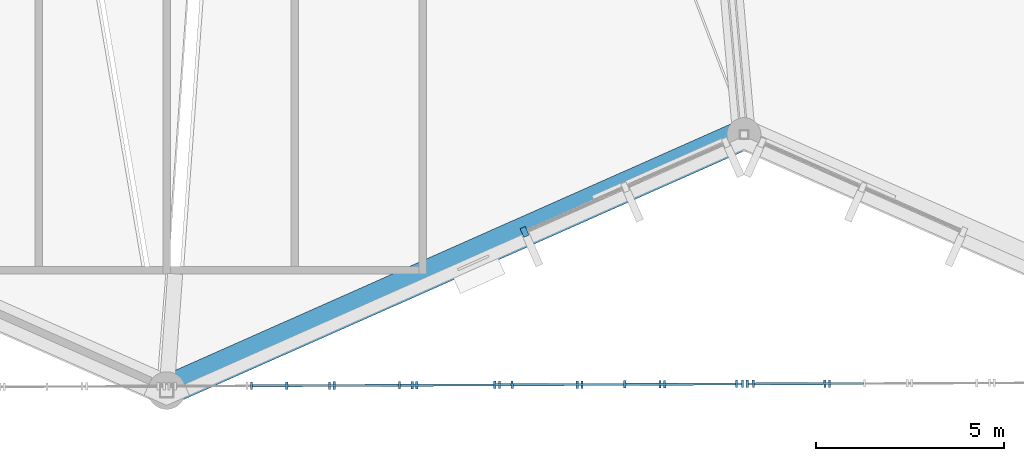
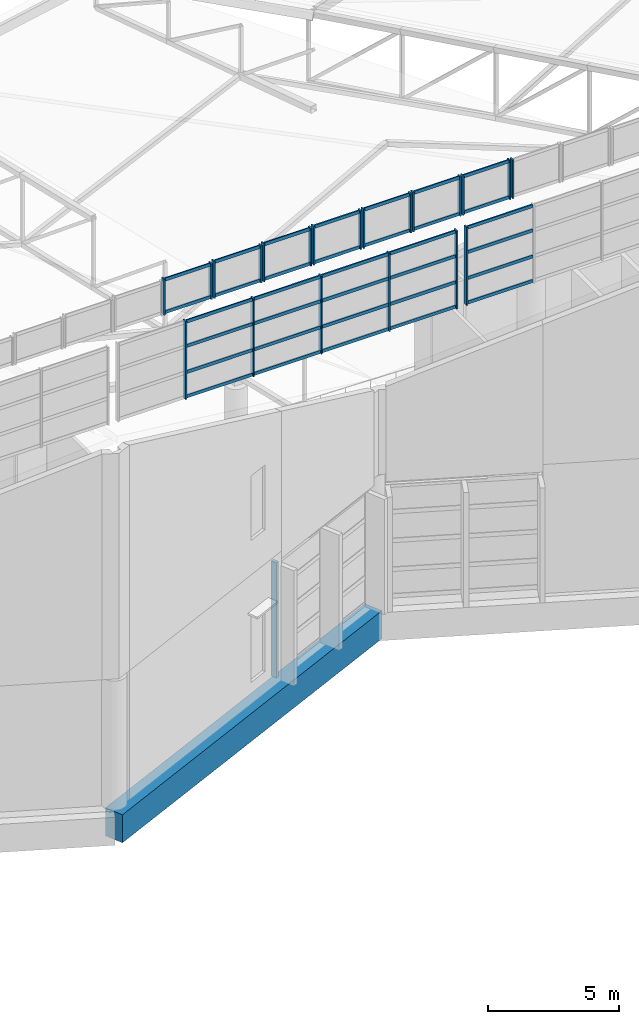
# One storey, part 33 of 344: 56 members, 1 beam, 11 elements without a shape of their own.
"""IFC4 building model written with IfcOpenShell, lengths in metres."""

from ifc_helpers import new_model, si_unit, direction, frame, origin, origin_2d, place, context, subcontext, project, spatial, rectangle, extrude, material, layer, layer_set, material_profile, profile_set, type_object, element, aggregate, save


model = new_model("IFC4")

# Units and contexts
model_context = context("Model", 3, precision=1e-05, world=origin(), true_north=direction((0.0, 1.0)))
body_context = subcontext(model_context, "Body", "Model", "MODEL_VIEW")
ifc_project = project(units=[si_unit("LENGTHUNIT", "METRE"), si_unit("AREAUNIT", "SQUARE_METRE"), si_unit("VOLUMEUNIT", "CUBIC_METRE"), si_unit("PLANEANGLEUNIT", "RADIAN"), si_unit("MASSUNIT", "GRAM", prefix="KILO")], contexts=[model_context])

# Site, building, storey
site_placement = place(None, origin())
site = spatial("IfcSite", under=ifc_project, at=site_placement, CompositionType="ELEMENT")
building_placement = place(site_placement, origin())
building = spatial("IfcBuilding", under=site, at=building_placement, Name="Meseta Stadium", CompositionType="ELEMENT")
storey_placement = place(building_placement, frame((0.0, 0.0, 24.0)))
storey = spatial("IfcBuildingStorey", under=building, at=storey_placement, Name="L04", CompositionType="ELEMENT", Elevation=24.0)

# Curtain wall, members
ifc_material_1 = material(Name="Aluminium", Category="aluminium")
ifc_layer_1 = layer(ifc_material_1, 0.199951171875)
ifc_layer_set_1 = layer_set([ifc_layer_1], Name="Gable glazing curtain wall")
curtain_wall_type_1 = type_object("IfcCurtainWallType", Name="Gable glazing curtain wall", PredefinedType="NOTDEFINED", material=ifc_layer_set_1)
curtain_wall_1_placement = place(storey_placement, origin())
curtain_wall_1 = element("IfcCurtainWall", 1, at=curtain_wall_1_placement, inside=storey, type_object=curtain_wall_type_1, Name="Gable glazing south bay 16", PredefinedType="NOTDEFINED")
ifc_material_2 = material(Name="Aluminium", Category="aluminium")
ifc_material_profile_1 = material_profile(ifc_material_2, rectangle(XDim=0.199951171875, YDim=0.06005859375, at=origin_2d()), Name="CW 200x60")
ifc_profile_set_1 = profile_set([ifc_material_profile_1], Name="Aluminium")
member_type_1 = type_object("IfcMemberType", Name="CW mullion 60x200", PredefinedType="MULLION", material=ifc_profile_set_1)
member_1_placement = place(storey_placement, frame((-5.410888671875, -105.2734375, 21.85498046875), z_axis=(0.0, 0.0, 1.0), x_axis=(-0.003847534181, 0.999992598213, 0.0)))
member_1 = element("IfcMember", 2, at=member_1_placement, type_object=member_type_1, Name="CWG mullion 1", PredefinedType="MULLION", context=body_context, shape_type="SweptSolid", body=[
    extrude(rectangle(XDim=0.199951171875, YDim=0.06005859375, at=origin_2d()), origin(), (0.0, 0.0, 1.0), 1.66015625),
])
member_2_placement = place(storey_placement, frame((-3.3408203125, -105.265380859375, 21.85498046875), z_axis=(0.0, 0.0, 1.0), x_axis=(-0.003847534181, 0.999992598213, 0.0)))
member_2 = element("IfcMember", 3, at=member_2_placement, type_object=member_type_1, Name="CWG mullion 2", PredefinedType="MULLION", context=body_context, shape_type="SweptSolid", body=[
    extrude(rectangle(XDim=0.199951171875, YDim=0.06005859375, at=origin_2d()), origin(), (0.0, 0.0, 1.0), 1.66015625),
])

curtain_wall_2_placement = place(storey_placement, origin())
curtain_wall_2 = element("IfcCurtainWall", 4, at=curtain_wall_2_placement, inside=storey, type_object=curtain_wall_type_1, Name="Gable glazing south bay 17", PredefinedType="NOTDEFINED")
member_3_placement = place(storey_placement, frame((-3.216796875, -105.264892578125, 21.85498046875), z_axis=(0.0, 0.0, 1.0), x_axis=(-0.003847534181, 0.999992598213, 0.0)))
member_3 = element("IfcMember", 5, at=member_3_placement, type_object=member_type_1, Name="CWG mullion 1", PredefinedType="MULLION", context=body_context, shape_type="SweptSolid", body=[
    extrude(rectangle(XDim=0.199951171875, YDim=0.06005859375, at=origin_2d()), origin(), (0.0, 0.0, 1.0), 1.716796875),
])
member_4_placement = place(storey_placement, frame((-1.146484375, -105.2568359375, 21.85498046875), z_axis=(0.0, 0.0, 1.0), x_axis=(-0.003847534181, 0.999992598213, 0.0)))
member_4 = element("IfcMember", 6, at=member_4_placement, type_object=member_type_1, Name="CWG mullion 2", PredefinedType="MULLION", context=body_context, shape_type="SweptSolid", body=[
    extrude(rectangle(XDim=0.199951171875, YDim=0.06005859375, at=origin_2d()), origin(), (0.0, 0.0, 1.0), 1.716796875),
])

curtain_wall_3_placement = place(storey_placement, origin())
curtain_wall_3 = element("IfcCurtainWall", 7, at=curtain_wall_3_placement, inside=storey, type_object=curtain_wall_type_1, Name="Gable glazing south bay 18", PredefinedType="NOTDEFINED")
member_5_placement = place(storey_placement, frame((-1.0224609375, -105.25634765625, 21.85498046875), z_axis=(0.0, 0.0, 1.0), x_axis=(-0.003847534181, 0.999992598213, 0.0)))
member_5 = element("IfcMember", 8, at=member_5_placement, type_object=member_type_1, Name="CWG mullion 1", PredefinedType="MULLION", context=body_context, shape_type="SweptSolid", body=[
    extrude(rectangle(XDim=0.199951171875, YDim=0.06005859375, at=origin_2d()), origin(), (0.0, 0.0, 1.0), 1.76220703125),
])
member_6_placement = place(storey_placement, frame((1.047607421875, -105.24853515625, 21.85498046875), z_axis=(0.0, 0.0, 1.0), x_axis=(-0.003847534181, 0.999992598213, 0.0)))
member_6 = element("IfcMember", 9, at=member_6_placement, type_object=member_type_1, Name="CWG mullion 2", PredefinedType="MULLION", context=body_context, shape_type="SweptSolid", body=[
    extrude(rectangle(XDim=0.199951171875, YDim=0.06005859375, at=origin_2d()), origin(), (0.0, 0.0, 1.0), 1.76220703125),
])

curtain_wall_4_placement = place(storey_placement, origin())
curtain_wall_4 = element("IfcCurtainWall", 10, at=curtain_wall_4_placement, inside=storey, type_object=curtain_wall_type_1, Name="Gable glazing south bay 19", PredefinedType="NOTDEFINED")
member_7_placement = place(storey_placement, frame((1.171630859375, -105.248046875, 21.85498046875), z_axis=(0.0, 0.0, 1.0), x_axis=(-0.003847534181, 0.999992598213, 0.0)))
member_7 = element("IfcMember", 11, at=member_7_placement, type_object=member_type_1, Name="CWG mullion 1", PredefinedType="MULLION", context=body_context, shape_type="SweptSolid", body=[
    extrude(rectangle(XDim=0.199951171875, YDim=0.06005859375, at=origin_2d()), origin(), (0.0, 0.0, 1.0), 1.796630859375),
])
member_8_placement = place(storey_placement, frame((3.24169921875, -105.239990234375, 21.85498046875), z_axis=(0.0, 0.0, 1.0), x_axis=(-0.003847534181, 0.999992598213, 0.0)))
member_8 = element("IfcMember", 12, at=member_8_placement, type_object=member_type_1, Name="CWG mullion 2", PredefinedType="MULLION", context=body_context, shape_type="SweptSolid", body=[
    extrude(rectangle(XDim=0.199951171875, YDim=0.06005859375, at=origin_2d()), origin(), (0.0, 0.0, 1.0), 1.796630859375),
])

curtain_wall_5_placement = place(storey_placement, origin())
curtain_wall_5 = element("IfcCurtainWall", 13, at=curtain_wall_5_placement, inside=storey, type_object=curtain_wall_type_1, Name="Gable glazing south bay 20", PredefinedType="NOTDEFINED")
member_9_placement = place(storey_placement, frame((3.36572265625, -105.239501953125, 21.85498046875), z_axis=(0.0, 0.0, 1.0), x_axis=(-0.003847534181, 0.999992598213, 0.0)))
member_9 = element("IfcMember", 14, at=member_9_placement, type_object=member_type_1, Name="CWG mullion 1", PredefinedType="MULLION", context=body_context, shape_type="SweptSolid", body=[
    extrude(rectangle(XDim=0.199951171875, YDim=0.06005859375, at=origin_2d()), origin(), (0.0, 0.0, 1.0), 1.820068359375),
])
member_10_placement = place(storey_placement, frame((5.43603515625, -105.231689453125, 21.85498046875), z_axis=(0.0, 0.0, 1.0), x_axis=(-0.003847534181, 0.999992598213, 0.0)))
member_10 = element("IfcMember", 15, at=member_10_placement, type_object=member_type_1, Name="CWG mullion 2", PredefinedType="MULLION", context=body_context, shape_type="SweptSolid", body=[
    extrude(rectangle(XDim=0.199951171875, YDim=0.06005859375, at=origin_2d()), origin(), (0.0, 0.0, 1.0), 1.820068359375),
])

curtain_wall_6_placement = place(storey_placement, origin())
curtain_wall_6 = element("IfcCurtainWall", 16, at=curtain_wall_6_placement, inside=storey, type_object=curtain_wall_type_1, Name="Gable glazing south bay 21", PredefinedType="NOTDEFINED")
member_11_placement = place(storey_placement, frame((5.56005859375, -105.231201171875, 21.85498046875), z_axis=(0.0, 0.0, 1.0), x_axis=(-0.003847534181, 0.999992598213, 0.0)))
member_11 = element("IfcMember", 17, at=member_11_placement, type_object=member_type_1, Name="CWG mullion 1", PredefinedType="MULLION", context=body_context, shape_type="SweptSolid", body=[
    extrude(rectangle(XDim=0.199951171875, YDim=0.06005859375, at=origin_2d()), origin(), (0.0, 0.0, 1.0), 1.832763671875),
])
member_12_placement = place(storey_placement, frame((7.630126953125, -105.22314453125, 21.85498046875), z_axis=(0.0, 0.0, 1.0), x_axis=(-0.003847534181, 0.999992598213, 0.0)))
member_12 = element("IfcMember", 18, at=member_12_placement, type_object=member_type_1, Name="CWG mullion 2", PredefinedType="MULLION", context=body_context, shape_type="SweptSolid", body=[
    extrude(rectangle(XDim=0.199951171875, YDim=0.06005859375, at=origin_2d()), origin(), (0.0, 0.0, 1.0), 1.832763671875),
])

curtain_wall_7_placement = place(storey_placement, origin())
curtain_wall_7 = element("IfcCurtainWall", 19, at=curtain_wall_7_placement, inside=storey, type_object=curtain_wall_type_1, Name="Gable glazing south bay 22", PredefinedType="NOTDEFINED")
member_13_placement = place(storey_placement, frame((7.754150390625, -105.22265625, 21.85498046875), z_axis=(0.0, 0.0, 1.0), x_axis=(-0.003847534233, 0.999992598213, 0.0)))
member_13 = element("IfcMember", 20, at=member_13_placement, type_object=member_type_1, Name="CWG mullion 1", PredefinedType="MULLION", context=body_context, shape_type="SweptSolid", body=[
    extrude(rectangle(XDim=0.199951171875, YDim=0.06005859375, at=origin_2d()), origin(), (0.0, 0.0, 1.0), 1.8251953125),
])
member_14_placement = place(storey_placement, frame((9.81689453125, -105.21484375, 21.85498046875), z_axis=(0.0, 0.0, 1.0), x_axis=(-0.003847534233, 0.999992598213, 0.0)))
member_14 = element("IfcMember", 21, at=member_14_placement, type_object=member_type_1, Name="CWG mullion 2", PredefinedType="MULLION", context=body_context, shape_type="SweptSolid", body=[
    extrude(rectangle(XDim=0.199951171875, YDim=0.06005859375, at=origin_2d()), origin(), (0.0, 0.0, 1.0), 1.8251953125),
])

# Curtain wall, member
curtain_wall_8_placement = place(storey_placement, origin())
curtain_wall_8 = element("IfcCurtainWall", 22, at=curtain_wall_8_placement, inside=storey, type_object=curtain_wall_type_1, Name="Gable glazing south bay 23", PredefinedType="NOTDEFINED")
member_15_placement = place(storey_placement, frame((9.94091796875, -105.21435546875, 21.85498046875), z_axis=(0.0, 0.0, 1.0), x_axis=(-0.003847534233, 0.999992598213, 0.0)))
member_15 = element("IfcMember", 23, at=member_15_placement, type_object=member_type_1, Name="CWG mullion 1", PredefinedType="MULLION", context=body_context, shape_type="SweptSolid", body=[
    extrude(rectangle(XDim=0.199951171875, YDim=0.06005859375, at=origin_2d()), origin(), (0.0, 0.0, 1.0), 1.805419921875),
])
aggregate(curtain_wall_8, [member_15])

# Curtain wall, members
curtain_wall_9_placement = place(storey_placement, origin())
curtain_wall_9 = element("IfcCurtainWall", 24, at=curtain_wall_9_placement, inside=storey, type_object=curtain_wall_type_1, Name="Gable glazing south lower bay 03", PredefinedType="NOTDEFINED")
member_16_placement = place(storey_placement, frame((-4.47802734375, -105.269775390625, 17.60009765625), z_axis=(0.0, 0.0, 1.0), x_axis=(-0.003847534216, 0.999992598213, 0.0)))
member_16 = element("IfcMember", 25, at=member_16_placement, type_object=member_type_1, Name="CWG mullion 2", PredefinedType="MULLION", context=body_context, shape_type="SweptSolid", body=[
    extrude(rectangle(XDim=0.199951171875, YDim=0.06005859375, at=origin_2d()), origin(), (0.0, 0.0, 1.0), 3.635009765625),
])
member_17_placement = place(storey_placement, frame((-1.484375, -105.25830078125, 17.60009765625), z_axis=(0.0, 0.0, 1.0), x_axis=(-0.003847534216, 0.999992598213, 0.0)))
member_17 = element("IfcMember", 26, at=member_17_placement, type_object=member_type_1, Name="CWG mullion 3", PredefinedType="MULLION", context=body_context, shape_type="SweptSolid", body=[
    extrude(rectangle(XDim=0.199951171875, YDim=0.06005859375, at=origin_2d()), origin(), (0.0, 0.0, 1.0), 3.635009765625),
])
member_18_placement = place(storey_placement, frame((1.50927734375, -105.24658203125, 17.60009765625), z_axis=(0.0, 0.0, 1.0), x_axis=(-0.003847534216, 0.999992598213, 0.0)))
member_18 = element("IfcMember", 27, at=member_18_placement, type_object=member_type_1, Name="CWG mullion 4", PredefinedType="MULLION", context=body_context, shape_type="SweptSolid", body=[
    extrude(rectangle(XDim=0.199951171875, YDim=0.06005859375, at=origin_2d()), origin(), (0.0, 0.0, 1.0), 3.635009765625),
])
member_19_placement = place(storey_placement, frame((4.5029296875, -105.235107421875, 17.60009765625), z_axis=(0.0, 0.0, 1.0), x_axis=(-0.003847534216, 0.999992598213, 0.0)))
member_19 = element("IfcMember", 28, at=member_19_placement, type_object=member_type_1, Name="CWG mullion 5", PredefinedType="MULLION", context=body_context, shape_type="SweptSolid", body=[
    extrude(rectangle(XDim=0.199951171875, YDim=0.06005859375, at=origin_2d()), origin(), (0.0, 0.0, 1.0), 3.635009765625),
])
member_20_placement = place(storey_placement, frame((7.466552734375, -105.223876953125, 17.60009765625), z_axis=(0.0, 0.0, 1.0), x_axis=(-0.003847534216, 0.999992598213, 0.0)))
member_20 = element("IfcMember", 29, at=member_20_placement, type_object=member_type_1, Name="CWG mullion 6", PredefinedType="MULLION", context=body_context, shape_type="SweptSolid", body=[
    extrude(rectangle(XDim=0.199951171875, YDim=0.06005859375, at=origin_2d()), origin(), (0.0, 0.0, 1.0), 3.635009765625),
])

# Curtain wall, member
curtain_wall_10_placement = place(storey_placement, origin())
curtain_wall_10 = element("IfcCurtainWall", 30, at=curtain_wall_10_placement, inside=storey, type_object=curtain_wall_type_1, Name="Gable glazing south lower bay 04", PredefinedType="NOTDEFINED")
member_21_placement = place(storey_placement, frame((7.917724609375, -105.22216796875, 17.60009765625), z_axis=(0.0, 0.0, 1.0), x_axis=(-0.003847534198, 0.999992598213, 0.0)))
member_21 = element("IfcMember", 31, at=member_21_placement, type_object=member_type_1, Name="CWG mullion 1", PredefinedType="MULLION", context=body_context, shape_type="SweptSolid", body=[
    extrude(rectangle(XDim=0.199951171875, YDim=0.06005859375, at=origin_2d()), origin(), (0.0, 0.0, 1.0), 3.635009765625),
])

ifc_material_3 = material(Name="Steel S355", Category="steel")
ifc_layer_2 = layer(ifc_material_3, 0.300048828125)
ifc_layer_set_2 = layer_set([ifc_layer_2], Name="Valley atrium curtain wall")
curtain_wall_type_2 = type_object("IfcCurtainWallType", Name="Valley atrium curtain wall", PredefinedType="NOTDEFINED", material=ifc_layer_set_2)
curtain_wall_11_placement = place(storey_placement, origin())
curtain_wall_11 = element("IfcCurtainWall", 32, at=curtain_wall_11_placement, inside=storey, type_object=curtain_wall_type_2, Name="Valley atrium glazing F46", PredefinedType="NOTDEFINED")
ifc_material_4 = material(Name="Steel S355", Category="steel")
ifc_material_profile_2 = material_profile(ifc_material_4, rectangle(XDim=0.25, YDim=0.14990234375, at=origin_2d()), Name="CW 250x150")
ifc_profile_set_2 = profile_set([ifc_material_profile_2], Name="Steel S355")
member_type_2 = type_object("IfcMemberType", Name="CW mullion bar 250x150", PredefinedType="MULLION", material=ifc_profile_set_2)
member_22_placement = place(storey_placement, frame((1.83935546875, -101.184326171875, 0.0), z_axis=(0.0, 0.0, 1.0), x_axis=(-0.405400794526, 0.914139046206, 0.0)))
member_22 = element("IfcMember", 33, at=member_22_placement, type_object=member_type_2, Name="CWA mullion 1", PredefinedType="MULLION", context=body_context, shape_type="SweptSolid", body=[
    extrude(rectangle(XDim=0.25, YDim=0.14990234375, at=origin_2d()), origin(), (0.0, 0.0, 1.0), 5.35009765625),
])
aggregate(curtain_wall_11, [member_22])

# Member
ifc_material_5 = material(Name="Aluminium", Category="aluminium")
ifc_material_profile_3 = material_profile(ifc_material_5, rectangle(XDim=0.06005859375, YDim=0.14990234375, at=origin_2d()), Name="CW 60x150")
ifc_profile_set_3 = profile_set([ifc_material_profile_3], Name="Aluminium")
member_type_3 = type_object("IfcMemberType", Name="CW transom 60x150", PredefinedType="USERDEFINED", material=ifc_profile_set_3)
member_23_placement = place(storey_placement, frame((-5.380859375, -105.273193359375, 21.929931640625), z_axis=(0.99999244649, 0.003886767677, 0.0), x_axis=(-0.003886767677, 0.99999244649, 0.0)))
member_23 = element("IfcMember", 34, at=member_23_placement, type_object=member_type_3, Name="CWG transom 1.1", ObjectType="TRANSOM", PredefinedType="USERDEFINED", context=body_context, shape_type="SweptSolid", body=[
    extrude(rectangle(XDim=0.06005859375, YDim=0.14990234375, at=origin_2d()), origin(), (0.0, 0.0, 1.0), 2.010009765625),
])

member_24_placement = place(storey_placement, frame((-5.380859375, -105.273193359375, 23.440185546875), z_axis=(0.99999244649, 0.003886767677, 0.0), x_axis=(-0.003886767677, 0.99999244649, 0.0)))
member_24 = element("IfcMember", 35, at=member_24_placement, type_object=member_type_3, Name="CWG transom 1.2", ObjectType="TRANSOM", PredefinedType="USERDEFINED", context=body_context, shape_type="SweptSolid", body=[
    extrude(rectangle(XDim=0.06005859375, YDim=0.14990234375, at=origin_2d()), origin(), (0.0, 0.0, 1.0), 2.010009765625),
])

aggregate(curtain_wall_1, [member_1, member_2, member_23, member_24])

member_25_placement = place(storey_placement, frame((-3.186767578125, -105.264892578125, 21.929931640625), z_axis=(0.999992448325, 0.003886295646, 0.0), x_axis=(-0.003886295646, 0.999992448325, 0.0)))
member_25 = element("IfcMember", 36, at=member_25_placement, type_object=member_type_3, Name="CWG transom 1.1", ObjectType="TRANSOM", PredefinedType="USERDEFINED", context=body_context, shape_type="SweptSolid", body=[
    extrude(rectangle(XDim=0.06005859375, YDim=0.14990234375, at=origin_2d()), origin(), (0.0, 0.0, 1.0), 2.01025390625),
])

member_26_placement = place(storey_placement, frame((-3.186767578125, -105.264892578125, 23.496826171875), z_axis=(0.999992448325, 0.003886295646, 0.0), x_axis=(-0.003886295646, 0.999992448325, 0.0)))
member_26 = element("IfcMember", 37, at=member_26_placement, type_object=member_type_3, Name="CWG transom 1.2", ObjectType="TRANSOM", PredefinedType="USERDEFINED", context=body_context, shape_type="SweptSolid", body=[
    extrude(rectangle(XDim=0.06005859375, YDim=0.14990234375, at=origin_2d()), origin(), (0.0, 0.0, 1.0), 2.01025390625),
])

aggregate(curtain_wall_2, [member_3, member_4, member_25, member_26])

member_27_placement = place(storey_placement, frame((-0.99267578125, -105.25634765625, 21.929931640625), z_axis=(0.999992448325, 0.003886295646, 0.0), x_axis=(-0.003886295646, 0.999992448325, 0.0)))
member_27 = element("IfcMember", 38, at=member_27_placement, type_object=member_type_3, Name="CWG transom 1.1", ObjectType="TRANSOM", PredefinedType="USERDEFINED", context=body_context, shape_type="SweptSolid", body=[
    extrude(rectangle(XDim=0.06005859375, YDim=0.14990234375, at=origin_2d()), origin(), (0.0, 0.0, 1.0), 2.01025390625),
])

member_28_placement = place(storey_placement, frame((-0.99267578125, -105.25634765625, 23.542236328125), z_axis=(0.999992448325, 0.003886295646, 0.0), x_axis=(-0.003886295646, 0.999992448325, 0.0)))
member_28 = element("IfcMember", 39, at=member_28_placement, type_object=member_type_3, Name="CWG transom 1.2", ObjectType="TRANSOM", PredefinedType="USERDEFINED", context=body_context, shape_type="SweptSolid", body=[
    extrude(rectangle(XDim=0.06005859375, YDim=0.14990234375, at=origin_2d()), origin(), (0.0, 0.0, 1.0), 2.01025390625),
])

aggregate(curtain_wall_3, [member_5, member_6, member_27, member_28])

member_29_placement = place(storey_placement, frame((1.20166015625, -105.247802734375, 21.929931640625), z_axis=(0.999992911203, 0.003765307937, 0.0), x_axis=(-0.003765307937, 0.999992911203, 0.0)))
member_29 = element("IfcMember", 40, at=member_29_placement, type_object=member_type_3, Name="CWG transom 1.1", ObjectType="TRANSOM", PredefinedType="USERDEFINED", context=body_context, shape_type="SweptSolid", body=[
    extrude(rectangle(XDim=0.06005859375, YDim=0.14990234375, at=origin_2d()), origin(), (0.0, 0.0, 1.0), 2.010009765625),
])

member_30_placement = place(storey_placement, frame((1.20166015625, -105.247802734375, 23.57666015625), z_axis=(0.999992911203, 0.003765307937, 0.0), x_axis=(-0.003765307937, 0.999992911203, 0.0)))
member_30 = element("IfcMember", 41, at=member_30_placement, type_object=member_type_3, Name="CWG transom 1.2", ObjectType="TRANSOM", PredefinedType="USERDEFINED", context=body_context, shape_type="SweptSolid", body=[
    extrude(rectangle(XDim=0.06005859375, YDim=0.14990234375, at=origin_2d()), origin(), (0.0, 0.0, 1.0), 2.010009765625),
])

aggregate(curtain_wall_4, [member_7, member_8, member_29, member_30])

member_31_placement = place(storey_placement, frame((3.395751953125, -105.239501953125, 21.929931640625), z_axis=(0.999992448325, 0.003886295646, 0.0), x_axis=(-0.003886295646, 0.999992448325, 0.0)))
member_31 = element("IfcMember", 42, at=member_31_placement, type_object=member_type_3, Name="CWG transom 1.1", ObjectType="TRANSOM", PredefinedType="USERDEFINED", context=body_context, shape_type="SweptSolid", body=[
    extrude(rectangle(XDim=0.06005859375, YDim=0.14990234375, at=origin_2d()), origin(), (0.0, 0.0, 1.0), 2.01025390625),
])

member_32_placement = place(storey_placement, frame((3.395751953125, -105.239501953125, 23.60009765625), z_axis=(0.999992448325, 0.003886295646, 0.0), x_axis=(-0.003886295646, 0.999992448325, 0.0)))
member_32 = element("IfcMember", 43, at=member_32_placement, type_object=member_type_3, Name="CWG transom 1.2", ObjectType="TRANSOM", PredefinedType="USERDEFINED", context=body_context, shape_type="SweptSolid", body=[
    extrude(rectangle(XDim=0.06005859375, YDim=0.14990234375, at=origin_2d()), origin(), (0.0, 0.0, 1.0), 2.01025390625),
])

aggregate(curtain_wall_5, [member_9, member_10, member_31, member_32])

member_33_placement = place(storey_placement, frame((5.590087890625, -105.23095703125, 21.929931640625), z_axis=(0.999992911203, 0.003765307937, 0.0), x_axis=(-0.003765307937, 0.999992911203, 0.0)))
member_33 = element("IfcMember", 44, at=member_33_placement, type_object=member_type_3, Name="CWG transom 1.1", ObjectType="TRANSOM", PredefinedType="USERDEFINED", context=body_context, shape_type="SweptSolid", body=[
    extrude(rectangle(XDim=0.06005859375, YDim=0.14990234375, at=origin_2d()), origin(), (0.0, 0.0, 1.0), 2.010009765625),
])

member_34_placement = place(storey_placement, frame((5.590087890625, -105.23095703125, 23.61279296875), z_axis=(0.999992911203, 0.003765307937, 0.0), x_axis=(-0.003765307937, 0.999992911203, 0.0)))
member_34 = element("IfcMember", 45, at=member_34_placement, type_object=member_type_3, Name="CWG transom 1.2", ObjectType="TRANSOM", PredefinedType="USERDEFINED", context=body_context, shape_type="SweptSolid", body=[
    extrude(rectangle(XDim=0.06005859375, YDim=0.14990234375, at=origin_2d()), origin(), (0.0, 0.0, 1.0), 2.010009765625),
])

aggregate(curtain_wall_6, [member_11, member_12, member_33, member_34])

member_35_placement = place(storey_placement, frame((7.7841796875, -105.22265625, 21.929931640625), z_axis=(0.99999239114, 0.003900982143, 0.0), x_axis=(-0.003900982143, 0.99999239114, 0.0)))
member_35 = element("IfcMember", 46, at=member_35_placement, type_object=member_type_3, Name="CWG transom 1.1", ObjectType="TRANSOM", PredefinedType="USERDEFINED", context=body_context, shape_type="SweptSolid", body=[
    extrude(rectangle(XDim=0.06005859375, YDim=0.14990234375, at=origin_2d()), origin(), (0.0, 0.0, 1.0), 2.002685546875),
])

member_36_placement = place(storey_placement, frame((7.7841796875, -105.22265625, 23.605224609375), z_axis=(0.99999239114, 0.003900982143, 0.0), x_axis=(-0.003900982143, 0.99999239114, 0.0)))
member_36 = element("IfcMember", 47, at=member_36_placement, type_object=member_type_3, Name="CWG transom 1.2", ObjectType="TRANSOM", PredefinedType="USERDEFINED", context=body_context, shape_type="SweptSolid", body=[
    extrude(rectangle(XDim=0.06005859375, YDim=0.14990234375, at=origin_2d()), origin(), (0.0, 0.0, 1.0), 2.002685546875),
])

aggregate(curtain_wall_7, [member_13, member_14, member_35, member_36])

member_37_placement = place(storey_placement, frame((-4.447998046875, -105.26953125, 17.675048828125), z_axis=(0.999992672412, 0.003828200976, 0.0), x_axis=(-0.003828200976, 0.999992672412, 0.0)))
member_37 = element("IfcMember", 48, at=member_37_placement, type_object=member_type_3, Name="CWG transom 2.1", ObjectType="TRANSOM", PredefinedType="USERDEFINED", context=body_context, shape_type="SweptSolid", body=[
    extrude(rectangle(XDim=0.06005859375, YDim=0.14990234375, at=origin_2d()), origin(), (0.0, 0.0, 1.0), 2.93359375),
])

member_38_placement = place(storey_placement, frame((-4.447998046875, -105.26953125, 18.811767578125), z_axis=(0.999992672412, 0.003828200976, 0.0), x_axis=(-0.003828200976, 0.999992672412, 0.0)))
member_38 = element("IfcMember", 49, at=member_38_placement, type_object=member_type_3, Name="CWG transom 2.2", ObjectType="TRANSOM", PredefinedType="USERDEFINED", context=body_context, shape_type="SweptSolid", body=[
    extrude(rectangle(XDim=0.06005859375, YDim=0.14990234375, at=origin_2d()), origin(), (0.0, 0.0, 1.0), 2.93359375),
])

member_39_placement = place(storey_placement, frame((-4.447998046875, -105.26953125, 20.0234375), z_axis=(0.999992672412, 0.003828200976, 0.0), x_axis=(-0.003828200976, 0.999992672412, 0.0)))
member_39 = element("IfcMember", 50, at=member_39_placement, type_object=member_type_3, Name="CWG transom 2.3", ObjectType="TRANSOM", PredefinedType="USERDEFINED", context=body_context, shape_type="SweptSolid", body=[
    extrude(rectangle(XDim=0.06005859375, YDim=0.14990234375, at=origin_2d()), origin(), (0.0, 0.0, 1.0), 2.93359375),
])

member_40_placement = place(storey_placement, frame((-4.447998046875, -105.26953125, 21.159912109375), z_axis=(0.999992672412, 0.003828200976, 0.0), x_axis=(-0.003828200976, 0.999992672412, 0.0)))
member_40 = element("IfcMember", 51, at=member_40_placement, type_object=member_type_3, Name="CWG transom 2.4", ObjectType="TRANSOM", PredefinedType="USERDEFINED", context=body_context, shape_type="SweptSolid", body=[
    extrude(rectangle(XDim=0.06005859375, YDim=0.14990234375, at=origin_2d()), origin(), (0.0, 0.0, 1.0), 2.93359375),
])

member_41_placement = place(storey_placement, frame((-1.454345703125, -105.258056640625, 17.675048828125), z_axis=(0.999992672412, 0.003828200976, 0.0), x_axis=(-0.003828200976, 0.999992672412, 0.0)))
member_41 = element("IfcMember", 52, at=member_41_placement, type_object=member_type_3, Name="CWG transom 3.1", ObjectType="TRANSOM", PredefinedType="USERDEFINED", context=body_context, shape_type="SweptSolid", body=[
    extrude(rectangle(XDim=0.06005859375, YDim=0.14990234375, at=origin_2d()), origin(), (0.0, 0.0, 1.0), 2.93359375),
])

member_42_placement = place(storey_placement, frame((-1.454345703125, -105.258056640625, 18.811767578125), z_axis=(0.999992672412, 0.003828200976, 0.0), x_axis=(-0.003828200976, 0.999992672412, 0.0)))
member_42 = element("IfcMember", 53, at=member_42_placement, type_object=member_type_3, Name="CWG transom 3.2", ObjectType="TRANSOM", PredefinedType="USERDEFINED", context=body_context, shape_type="SweptSolid", body=[
    extrude(rectangle(XDim=0.06005859375, YDim=0.14990234375, at=origin_2d()), origin(), (0.0, 0.0, 1.0), 2.93359375),
])

member_43_placement = place(storey_placement, frame((-1.454345703125, -105.258056640625, 20.0234375), z_axis=(0.999992672412, 0.003828200976, 0.0), x_axis=(-0.003828200976, 0.999992672412, 0.0)))
member_43 = element("IfcMember", 54, at=member_43_placement, type_object=member_type_3, Name="CWG transom 3.3", ObjectType="TRANSOM", PredefinedType="USERDEFINED", context=body_context, shape_type="SweptSolid", body=[
    extrude(rectangle(XDim=0.06005859375, YDim=0.14990234375, at=origin_2d()), origin(), (0.0, 0.0, 1.0), 2.93359375),
])

member_44_placement = place(storey_placement, frame((-1.454345703125, -105.258056640625, 21.159912109375), z_axis=(0.999992672412, 0.003828200976, 0.0), x_axis=(-0.003828200976, 0.999992672412, 0.0)))
member_44 = element("IfcMember", 55, at=member_44_placement, type_object=member_type_3, Name="CWG transom 3.4", ObjectType="TRANSOM", PredefinedType="USERDEFINED", context=body_context, shape_type="SweptSolid", body=[
    extrude(rectangle(XDim=0.06005859375, YDim=0.14990234375, at=origin_2d()), origin(), (0.0, 0.0, 1.0), 2.93359375),
])

member_45_placement = place(storey_placement, frame((1.539306640625, -105.24658203125, 17.675048828125), z_axis=(0.999992672412, 0.003828200976, 0.0), x_axis=(-0.003828200976, 0.999992672412, 0.0)))
member_45 = element("IfcMember", 56, at=member_45_placement, type_object=member_type_3, Name="CWG transom 4.1", ObjectType="TRANSOM", PredefinedType="USERDEFINED", context=body_context, shape_type="SweptSolid", body=[
    extrude(rectangle(XDim=0.06005859375, YDim=0.14990234375, at=origin_2d()), origin(), (0.0, 0.0, 1.0), 2.93359375),
])

member_46_placement = place(storey_placement, frame((1.539306640625, -105.24658203125, 18.811767578125), z_axis=(0.999992672412, 0.003828200976, 0.0), x_axis=(-0.003828200976, 0.999992672412, 0.0)))
member_46 = element("IfcMember", 57, at=member_46_placement, type_object=member_type_3, Name="CWG transom 4.2", ObjectType="TRANSOM", PredefinedType="USERDEFINED", context=body_context, shape_type="SweptSolid", body=[
    extrude(rectangle(XDim=0.06005859375, YDim=0.14990234375, at=origin_2d()), origin(), (0.0, 0.0, 1.0), 2.93359375),
])

member_47_placement = place(storey_placement, frame((1.539306640625, -105.24658203125, 20.0234375), z_axis=(0.999992672412, 0.003828200976, 0.0), x_axis=(-0.003828200976, 0.999992672412, 0.0)))
member_47 = element("IfcMember", 58, at=member_47_placement, type_object=member_type_3, Name="CWG transom 4.3", ObjectType="TRANSOM", PredefinedType="USERDEFINED", context=body_context, shape_type="SweptSolid", body=[
    extrude(rectangle(XDim=0.06005859375, YDim=0.14990234375, at=origin_2d()), origin(), (0.0, 0.0, 1.0), 2.93359375),
])

member_48_placement = place(storey_placement, frame((1.539306640625, -105.24658203125, 21.159912109375), z_axis=(0.999992672412, 0.003828200976, 0.0), x_axis=(-0.003828200976, 0.999992672412, 0.0)))
member_48 = element("IfcMember", 59, at=member_48_placement, type_object=member_type_3, Name="CWG transom 4.4", ObjectType="TRANSOM", PredefinedType="USERDEFINED", context=body_context, shape_type="SweptSolid", body=[
    extrude(rectangle(XDim=0.06005859375, YDim=0.14990234375, at=origin_2d()), origin(), (0.0, 0.0, 1.0), 2.93359375),
])

member_49_placement = place(storey_placement, frame((4.532958984375, -105.235107421875, 17.675048828125), z_axis=(0.99999252132, 0.003867467293, 0.0), x_axis=(-0.003867467293, 0.99999252132, 0.0)))
member_49 = element("IfcMember", 60, at=member_49_placement, type_object=member_type_3, Name="CWG transom 5.1", ObjectType="TRANSOM", PredefinedType="USERDEFINED", context=body_context, shape_type="SweptSolid", body=[
    extrude(rectangle(XDim=0.06005859375, YDim=0.14990234375, at=origin_2d()), origin(), (0.0, 0.0, 1.0), 2.90380859375),
])

member_50_placement = place(storey_placement, frame((4.532958984375, -105.235107421875, 18.811767578125), z_axis=(0.99999252132, 0.003867467293, 0.0), x_axis=(-0.003867467293, 0.99999252132, 0.0)))
member_50 = element("IfcMember", 61, at=member_50_placement, type_object=member_type_3, Name="CWG transom 5.2", ObjectType="TRANSOM", PredefinedType="USERDEFINED", context=body_context, shape_type="SweptSolid", body=[
    extrude(rectangle(XDim=0.06005859375, YDim=0.14990234375, at=origin_2d()), origin(), (0.0, 0.0, 1.0), 2.90380859375),
])

member_51_placement = place(storey_placement, frame((4.532958984375, -105.235107421875, 20.0234375), z_axis=(0.99999252132, 0.003867467293, 0.0), x_axis=(-0.003867467293, 0.99999252132, 0.0)))
member_51 = element("IfcMember", 62, at=member_51_placement, type_object=member_type_3, Name="CWG transom 5.3", ObjectType="TRANSOM", PredefinedType="USERDEFINED", context=body_context, shape_type="SweptSolid", body=[
    extrude(rectangle(XDim=0.06005859375, YDim=0.14990234375, at=origin_2d()), origin(), (0.0, 0.0, 1.0), 2.90380859375),
])

member_52_placement = place(storey_placement, frame((4.532958984375, -105.235107421875, 21.159912109375), z_axis=(0.99999252132, 0.003867467293, 0.0), x_axis=(-0.003867467293, 0.99999252132, 0.0)))
member_52 = element("IfcMember", 63, at=member_52_placement, type_object=member_type_3, Name="CWG transom 5.4", ObjectType="TRANSOM", PredefinedType="USERDEFINED", context=body_context, shape_type="SweptSolid", body=[
    extrude(rectangle(XDim=0.06005859375, YDim=0.14990234375, at=origin_2d()), origin(), (0.0, 0.0, 1.0), 2.90380859375),
])

aggregate(curtain_wall_9, [member_16, member_17, member_18, member_19, member_20, member_37, member_38, member_39, member_40, member_41, member_42, member_43, member_44, member_45, member_46, member_47, member_48, member_49, member_50, member_51, member_52])

member_53_placement = place(storey_placement, frame((7.94775390625, -105.221923828125, 17.675048828125), z_axis=(0.99999246568, 0.003881827293, 0.0), x_axis=(-0.003881827293, 0.99999246568, 0.0)))
member_53 = element("IfcMember", 64, at=member_53_placement, type_object=member_type_3, Name="CWG transom 1.1", ObjectType="TRANSOM", PredefinedType="USERDEFINED", context=body_context, shape_type="SweptSolid", body=[
    extrude(rectangle(XDim=0.06005859375, YDim=0.14990234375, at=origin_2d()), origin(), (0.0, 0.0, 1.0), 2.89306640625),
])

member_54_placement = place(storey_placement, frame((7.94775390625, -105.221923828125, 18.811767578125), z_axis=(0.99999246568, 0.003881827293, 0.0), x_axis=(-0.003881827293, 0.99999246568, 0.0)))
member_54 = element("IfcMember", 65, at=member_54_placement, type_object=member_type_3, Name="CWG transom 1.2", ObjectType="TRANSOM", PredefinedType="USERDEFINED", context=body_context, shape_type="SweptSolid", body=[
    extrude(rectangle(XDim=0.06005859375, YDim=0.14990234375, at=origin_2d()), origin(), (0.0, 0.0, 1.0), 2.89306640625),
])

member_55_placement = place(storey_placement, frame((7.94775390625, -105.221923828125, 20.0234375), z_axis=(0.99999246568, 0.003881827293, 0.0), x_axis=(-0.003881827293, 0.99999246568, 0.0)))
member_55 = element("IfcMember", 66, at=member_55_placement, type_object=member_type_3, Name="CWG transom 1.3", ObjectType="TRANSOM", PredefinedType="USERDEFINED", context=body_context, shape_type="SweptSolid", body=[
    extrude(rectangle(XDim=0.06005859375, YDim=0.14990234375, at=origin_2d()), origin(), (0.0, 0.0, 1.0), 2.89306640625),
])

member_56_placement = place(storey_placement, frame((7.94775390625, -105.221923828125, 21.159912109375), z_axis=(0.99999246568, 0.003881827293, 0.0), x_axis=(-0.003881827293, 0.99999246568, 0.0)))
member_56 = element("IfcMember", 67, at=member_56_placement, type_object=member_type_3, Name="CWG transom 1.4", ObjectType="TRANSOM", PredefinedType="USERDEFINED", context=body_context, shape_type="SweptSolid", body=[
    extrude(rectangle(XDim=0.06005859375, YDim=0.14990234375, at=origin_2d()), origin(), (0.0, 0.0, 1.0), 2.89306640625),
])

aggregate(curtain_wall_10, [member_21, member_53, member_54, member_55, member_56])

# Beam
ifc_material_6 = material(Name="Concrete C40/50", Category="concrete")
ifc_material_profile_4 = material_profile(ifc_material_6, rectangle(XDim=0.800048828125, YDim=1.300048828125, at=origin_2d()), Name="RC 800x1300")
ifc_profile_set_4 = profile_set([ifc_material_profile_4], Name="Concrete C40/50")
beam_type = type_object("IfcBeamType", Name="RC beam 800x1300", PredefinedType="BEAM", material=ifc_profile_set_4)
beam_placement = place(storey_placement, frame((-7.666748046875, -105.39990234375, -1.050048828125), z_axis=(0.914144956099, 0.405387468033, 0.0), x_axis=(-0.405387468033, 0.914144956099, 0.0)))
element("IfcBeam", 68, at=beam_placement, inside=storey, type_object=beam_type, Name="L04 ring beam frame 46 line R", PredefinedType="BEAM", context=body_context, shape_type="SweptSolid", body=[
    extrude(rectangle(XDim=0.800048828125, YDim=1.300048828125, at=origin_2d()), origin(), (0.0, 0.0, 1.0), 16.773681640625),
])

save(model, "model.ifc")
